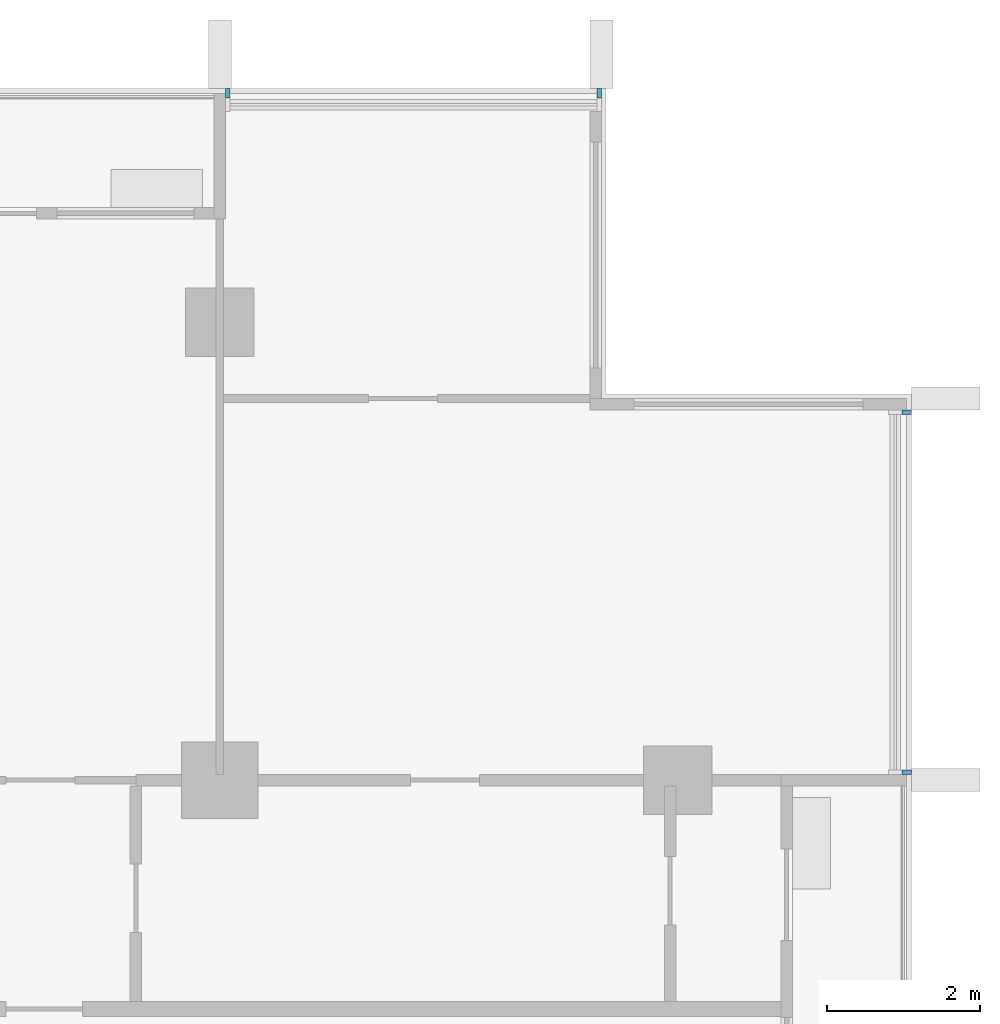
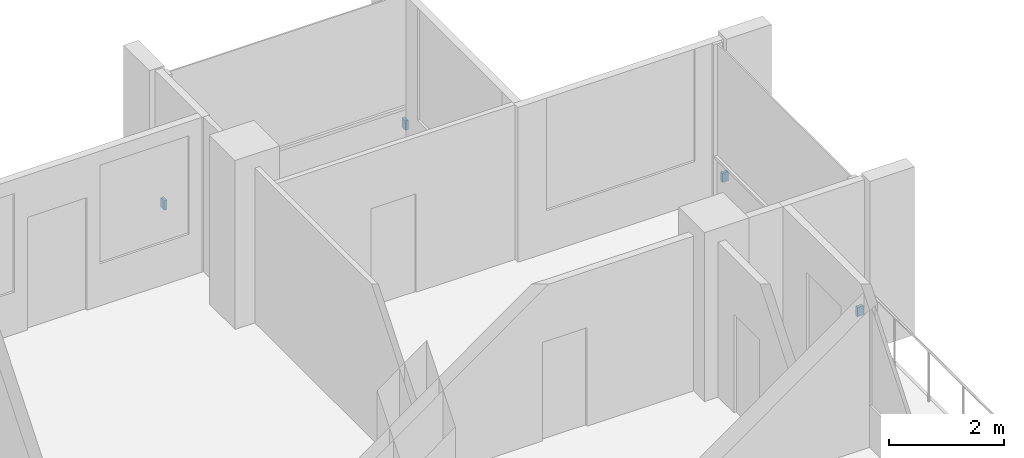
# One storey, part 16 of 17: 4 discrete accessories.
"""IFC4 building model written with IfcOpenShell, lengths in metres."""

from ifc_helpers import new_model, si_unit, direction, frame, origin, origin_2d, place, context, subcontext, project, spatial, rectangle, extrude, material, type_object, element, save


model = new_model("IFC4")

# Units and contexts
model_context = context("Model", 3, precision=1e-05, world=origin(), true_north=direction((0.0, 1.0)))
body_context = subcontext(model_context, "Body", "Model", "MODEL_VIEW")
ifc_project = project(units=[si_unit("LENGTHUNIT", "METRE"), si_unit("AREAUNIT", "SQUARE_METRE"), si_unit("VOLUMEUNIT", "CUBIC_METRE"), si_unit("PLANEANGLEUNIT", "RADIAN"), si_unit("MASSUNIT", "GRAM", prefix="KILO")], contexts=[model_context])

# Site, building, storey
site_placement = place(None, origin())
site = spatial("IfcSite", under=ifc_project, at=site_placement, CompositionType="ELEMENT")
building_placement = place(site_placement, origin())
building = spatial("IfcBuilding", under=site, at=building_placement, Name="Finial Court Residences", CompositionType="ELEMENT")
storey_placement = place(building_placement, frame((0.0, 0.0, 181.699951171875)))
storey = spatial("IfcBuildingStorey", under=building, at=storey_placement, Name="L45", CompositionType="ELEMENT", Elevation=181.699951171875)

# Discrete accessories
ifc_material = material(Name="Stainless steel 316", Category="steel")
discrete_accessory_type = type_object("IfcDiscreteAccessoryType", Name="Fin bracket, stainless steel 60 x 122 x 200", PredefinedType="BRACKET", material=ifc_material)
for number, where, z_axis, x_axis, name in (
    (1, (10.60498046875, 22.498779296875, 0.30029296875), (0.0, 0.0, 1.0), (1.0, 0.0, 0.0), "E-L45-FIN-N5-BRK"),
    (2, (15.469970703125, 22.498779296875, 0.30029296875), (0.0, 0.0, 1.0), (1.0, 0.0, 0.0), "E-L45-FIN-N6-BRK"),
):
    element("IfcDiscreteAccessory", number, at=place(storey_placement, frame(where, z_axis=z_axis, x_axis=x_axis)), inside=storey, type_object=discrete_accessory_type, Name=name, PredefinedType="BRACKET", context=body_context, shape_type="SweptSolid", body=[
        extrude(rectangle(XDim=0.06005859375, YDim=0.12255859375, at=origin_2d()), origin(), (0.0, 0.0, 1.0), 0.199951171875),
    ])
for number, where, z_axis, x_axis, name in (
    (3, (19.498779296875, 13.60498046875, 0.30029296875), (0.0, 0.0, 1.0), (1.0, 0.0, 0.0), "E-L45-FIN-E12-BRK"),
    (4, (19.498779296875, 18.320068359375, 0.30029296875), (0.0, 0.0, 1.0), (1.0, 0.0, 0.0), "E-L45-FIN-E13-BRK"),
):
    element("IfcDiscreteAccessory", number, at=place(storey_placement, frame(where, z_axis=z_axis, x_axis=x_axis)), inside=storey, type_object=discrete_accessory_type, Name=name, PredefinedType="BRACKET", context=body_context, shape_type="SweptSolid", body=[
        extrude(rectangle(XDim=0.12255859375, YDim=0.06005859375, at=origin_2d()), origin(), (0.0, 0.0, 1.0), 0.199951171875),
    ])

save(model, "model.ifc")
